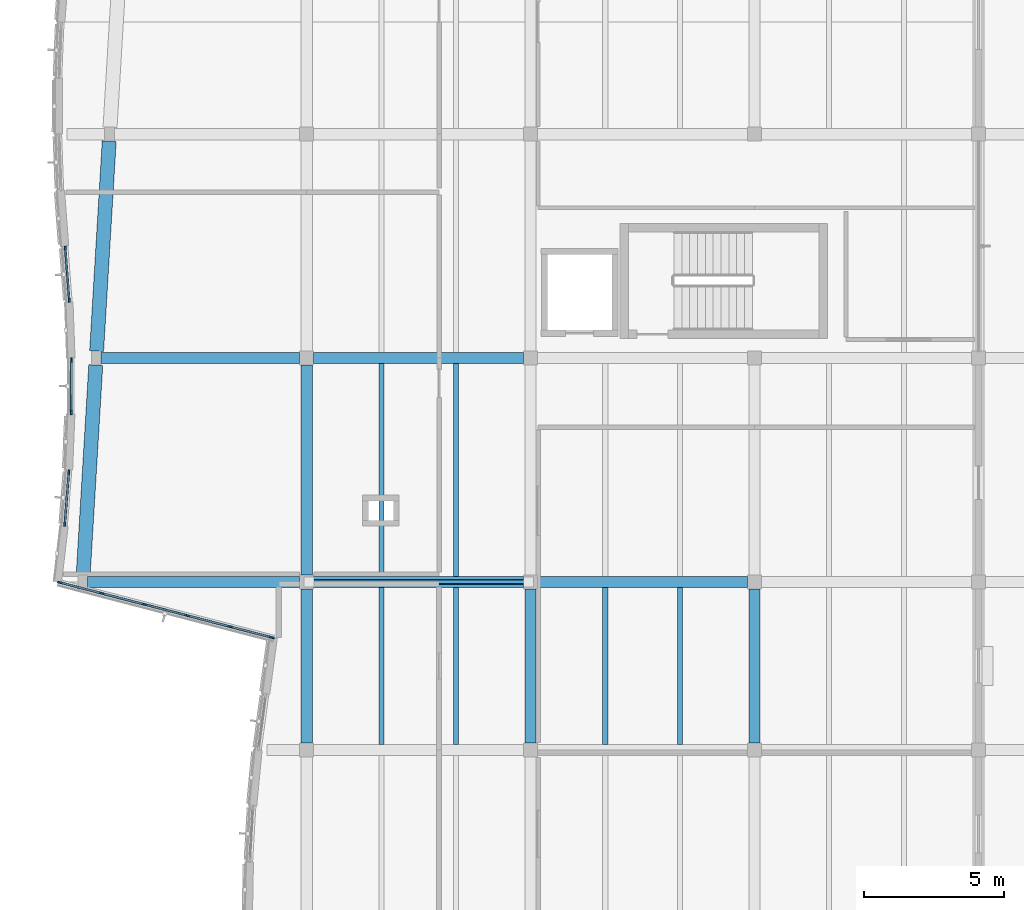
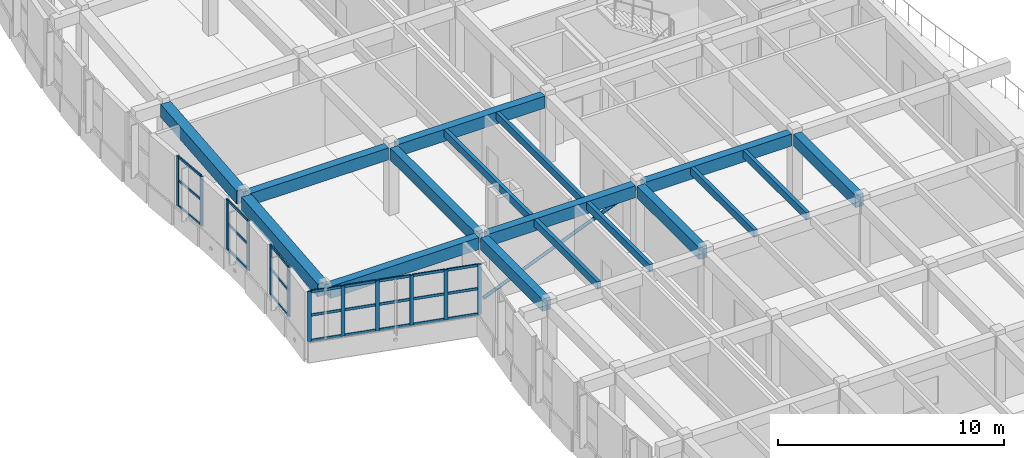
# One storey, part 10 of 89: 37 members, 17 beams, 4 elements without a shape of their own.
"""IFC4 building model written with IfcOpenShell, lengths in metres."""

from ifc_helpers import new_model, si_unit, direction, frame, origin, origin_2d, place, context, subcontext, project, spatial, rectangle, hollow_circle, extrude, material, layer, layer_set, material_profile, profile_set, type_object, element, aggregate, save


model = new_model("IFC4")

# Units and contexts
model_context = context("Model", 3, precision=1e-05, world=origin(), true_north=direction((0.0, 1.0)))
body_context = subcontext(model_context, "Body", "Model", "MODEL_VIEW")
ifc_project = project(units=[si_unit("LENGTHUNIT", "METRE"), si_unit("AREAUNIT", "SQUARE_METRE"), si_unit("VOLUMEUNIT", "CUBIC_METRE"), si_unit("PLANEANGLEUNIT", "RADIAN"), si_unit("MASSUNIT", "GRAM", prefix="KILO")], contexts=[model_context])

# Site, building, storey
site_placement = place(None, origin())
site = spatial("IfcSite", under=ifc_project, at=site_placement, CompositionType="ELEMENT")
building_placement = place(site_placement, origin())
building = spatial("IfcBuilding", under=site, at=building_placement, Name="Tonlespit Floodbar School", CompositionType="ELEMENT")
storey_placement = place(building_placement, frame((0.0, 0.0, 4.5)))
storey = spatial("IfcBuildingStorey", under=building, at=storey_placement, Name="L01", CompositionType="ELEMENT", Elevation=4.5)

# Beams
ifc_material_1 = material(Name="Concrete C40/50", Category="concrete")
ifc_material_profile_1 = material_profile(ifc_material_1, rectangle(XDim=0.39990234375, YDim=0.64990234375, at=origin_2d()), Name="RC 400x650")
ifc_profile_set_1 = profile_set([ifc_material_profile_1], Name="Concrete C40/50")
beam_type_1 = type_object("IfcBeamType", Name="Beam_RC_400x650", PredefinedType="BEAM", material=ifc_profile_set_1)
beam_1_placement = place(storey_placement, frame((4.175048828125, 56.0, 3.324951171875), z_axis=(1.0, 0.0, 0.0), x_axis=(0.0, 1.0, 0.0)))
element("IfcBeam", 1, at=beam_1_placement, inside=storey, type_object=beam_type_1, Name="L01 girder 0571", PredefinedType="BEAM", context=body_context, shape_type="SweptSolid", body=[
    extrude(rectangle(XDim=0.39990234375, YDim=0.64990234375, at=origin_2d()), origin(), (0.0, 0.0, 1.0), 7.574951171875),
])
for number, where, z_axis, x_axis, name in (
    (2, (12.25, 56.0, 3.324951171875), (1.0, 0.0, 0.0), (0.0, 1.0, 0.0), "L01 girder 0572"),
    (3, (20.25, 56.0, 3.324951171875), (1.0, 0.0, 0.0), (0.0, 1.0, 0.0), "L01 girder 0573"),
):
    element("IfcBeam", number, at=place(storey_placement, frame(where, z_axis=z_axis, x_axis=x_axis)), inside=storey, type_object=beam_type_1, Name=name, PredefinedType="BEAM", context=body_context, shape_type="SweptSolid", body=[
        extrude(rectangle(XDim=0.39990234375, YDim=0.64990234375, at=origin_2d()), origin(), (0.0, 0.0, 1.0), 7.5),
    ])
beam_2_placement = place(storey_placement, frame((4.655029296875, 64.0, 3.324951171875), z_axis=(1.0, 0.0, 0.0), x_axis=(0.0, 1.0, 0.0)))
element("IfcBeam", 4, at=beam_2_placement, inside=storey, type_object=beam_type_1, Name="L01 girder 0575", PredefinedType="BEAM", context=body_context, shape_type="SweptSolid", body=[
    extrude(rectangle(XDim=0.39990234375, YDim=0.64990234375, at=origin_2d()), origin(), (0.0, 0.0, 1.0), 7.094970703125),
])
beam_3_placement = place(storey_placement, frame((12.25, 64.0, 3.324951171875), z_axis=(1.0, 0.0, 0.0), x_axis=(0.0, 1.0, 0.0)))
element("IfcBeam", 5, at=beam_3_placement, inside=storey, type_object=beam_type_1, Name="L01 girder 0576", PredefinedType="BEAM", context=body_context, shape_type="SweptSolid", body=[
    extrude(rectangle(XDim=0.39990234375, YDim=0.64990234375, at=origin_2d()), origin(), (0.0, 0.0, 1.0), 7.5),
])
beam_4_placement = place(storey_placement, frame((12.0, 50.25, 3.324951171875), z_axis=(0.0, 1.0, 0.0), x_axis=(-1.0, 0.0, 0.0)))
element("IfcBeam", 6, at=beam_4_placement, inside=storey, type_object=beam_type_1, Name="L01 girder 0681", PredefinedType="BEAM", context=body_context, shape_type="SweptSolid", body=[
    extrude(rectangle(XDim=0.39990234375, YDim=0.64990234375, at=origin_2d()), origin(), (0.0, 0.0, 1.0), 5.5),
])
beam_5_placement = place(storey_placement, frame((12.0, 56.25, 3.324951171875), z_axis=(0.0, 1.0, 0.0), x_axis=(-1.0, 0.0, 0.0)))
element("IfcBeam", 7, at=beam_5_placement, inside=storey, type_object=beam_type_1, Name="L01 girder 0682", PredefinedType="BEAM", context=body_context, shape_type="SweptSolid", body=[
    extrude(rectangle(XDim=0.39990234375, YDim=0.64990234375, at=origin_2d()), origin(), (0.0, 0.0, 1.0), 7.5),
])
for number, where, z_axis, x_axis, name in (
    (8, (20.0, 50.25, 3.324951171875), (0.0, 1.0, 0.0), (-1.0, 0.0, 0.0), "L01 girder 0694"),
    (9, (28.0, 50.25, 3.324951171875), (0.0, 1.0, 0.0), (-1.0, 0.0, 0.0), "L01 girder 0707"),
):
    element("IfcBeam", number, at=place(storey_placement, frame(where, z_axis=z_axis, x_axis=x_axis)), inside=storey, type_object=beam_type_1, Name=name, PredefinedType="BEAM", context=body_context, shape_type="SweptSolid", body=[
        extrude(rectangle(XDim=0.39990234375, YDim=0.64990234375, at=origin_2d()), origin(), (0.0, 0.0, 1.0), 5.5),
    ])

# Member
ifc_material_2 = material(Name="Steel S355", Category="steel")
ifc_material_profile_2 = material_profile(ifc_material_2, hollow_circle(Radius=0.084228515625, WallThickness=0.008056640625, at=origin_2d()), Name="CHS 168.3x8")
ifc_profile_set_2 = profile_set([ifc_material_profile_2], Name="Steel S355")
member_type_1 = type_object("IfcMemberType", Name="Brace_STL_CHS168", PredefinedType="BRACE", material=ifc_profile_set_2)
member_1_placement = place(storey_placement, frame((12.080078125, 56.0, 0.14990234375), z_axis=(0.925836938306, 0.0, 0.377923224568), x_axis=(0.0, 1.0, 0.0)))
element("IfcMember", 10, at=member_1_placement, inside=storey, type_object=member_type_1, Name="L01 exposed deconstructivist lateral brace 1", PredefinedType="BRACE", context=body_context, shape_type="SweptSolid", body=[
    extrude(hollow_circle(Radius=0.084228515625, WallThickness=0.008056640625, at=origin_2d()), origin(), (0.0, 0.0, 1.0), 8.4677734375),
])

# Curtain wall, members
ifc_material_3 = material(Name="Anodised Aluminium", Category="aluminium")
ifc_layer_1 = layer(ifc_material_3, 0.159912109375)
ifc_layer_set_1 = layer_set([ifc_layer_1], Name="Anodised Aluminium")
curtain_wall_type_1 = type_object("IfcCurtainWallType", Name="CurtainWall_1950x2700", PredefinedType="NOTDEFINED", material=ifc_layer_set_1)
curtain_wall_1_placement = place(storey_placement, origin())
curtain_wall_1 = element("IfcCurtainWall", 11, at=curtain_wall_1_placement, inside=storey, type_object=curtain_wall_type_1, Name="L01 unitised curtain wall 0272", PredefinedType="NOTDEFINED")
ifc_material_profile_3 = material_profile(ifc_material_3, rectangle(XDim=0.06494140625, YDim=0.14990234375, at=origin_2d()), Name="ALU M65x150")
ifc_profile_set_3 = profile_set([ifc_material_profile_3], Name="Anodised Aluminium")
member_type_2 = type_object("IfcMemberType", Name="CW_Mullion_65x150", PredefinedType="MULLION", material=ifc_profile_set_3)
member_2_placement = place(storey_placement, frame((3.3564453125, 58.072265625, 0.949951171875), z_axis=(0.0, 0.0, 1.0), x_axis=(-0.996877534245, 0.078963166836, 0.0)))
member_2 = element("IfcMember", 12, at=member_2_placement, type_object=member_type_2, Name="CW-04 mullion 1", PredefinedType="MULLION", context=body_context, shape_type="SweptSolid", body=[
    extrude(rectangle(XDim=0.06494140625, YDim=0.14990234375, at=origin_2d()), origin(), (0.0, 0.0, 1.0), 2.699951171875),
])
member_3_placement = place(storey_placement, frame((3.50341796875, 59.927734375, 0.949951171875), z_axis=(0.0, 0.0, 1.0), x_axis=(-0.996877534245, 0.078963166836, 0.0)))
member_3 = element("IfcMember", 13, at=member_3_placement, type_object=member_type_2, Name="CW-04 mullion 2", PredefinedType="MULLION", context=body_context, shape_type="SweptSolid", body=[
    extrude(rectangle(XDim=0.06494140625, YDim=0.14990234375, at=origin_2d()), origin(), (0.0, 0.0, 1.0), 2.699951171875),
])

curtain_wall_2_placement = place(storey_placement, origin())
curtain_wall_2 = element("IfcCurtainWall", 14, at=curtain_wall_2_placement, inside=storey, type_object=curtain_wall_type_1, Name="L01 unitised curtain wall 0274", PredefinedType="NOTDEFINED")
member_4_placement = place(storey_placement, frame((3.516357421875, 66.072265625, 0.949951171875), z_axis=(0.0, 0.0, 1.0), x_axis=(-0.997129753565, -0.075711654028, 0.0)))
member_4 = element("IfcMember", 15, at=member_4_placement, type_object=member_type_2, Name="CW-04 mullion 1", PredefinedType="MULLION", context=body_context, shape_type="SweptSolid", body=[
    extrude(rectangle(XDim=0.06494140625, YDim=0.14990234375, at=origin_2d()), origin(), (0.0, 0.0, 1.0), 2.699951171875),
])
member_5_placement = place(storey_placement, frame((3.37548828125, 67.927734375, 0.949951171875), z_axis=(0.0, 0.0, 1.0), x_axis=(-0.997129753565, -0.075711654028, 0.0)))
member_5 = element("IfcMember", 16, at=member_5_placement, type_object=member_type_2, Name="CW-04 mullion 2", PredefinedType="MULLION", context=body_context, shape_type="SweptSolid", body=[
    extrude(rectangle(XDim=0.06494140625, YDim=0.14990234375, at=origin_2d()), origin(), (0.0, 0.0, 1.0), 2.699951171875),
])

ifc_layer_2 = layer(ifc_material_3, 0.159912109375)
ifc_layer_set_2 = layer_set([ifc_layer_2], Name="Anodised Aluminium")
curtain_wall_type_2 = type_object("IfcCurtainWallType", Name="CurtainWall_7900x2700", PredefinedType="NOTDEFINED", material=ifc_layer_set_2)
curtain_wall_3_placement = place(storey_placement, origin())
curtain_wall_3 = element("IfcCurtainWall", 17, at=curtain_wall_3_placement, inside=storey, type_object=curtain_wall_type_2, Name="L01 unitised curtain wall 0271", PredefinedType="NOTDEFINED")
ifc_material_profile_4 = material_profile(ifc_material_3, rectangle(XDim=0.06494140625, YDim=0.179931640625, at=origin_2d()), Name="ALU M65x180")
ifc_profile_set_4 = profile_set([ifc_material_profile_4], Name="Anodised Aluminium")
member_type_3 = type_object("IfcMemberType", Name="CW_Mullion_65x180", PredefinedType="MULLION", material=ifc_profile_set_4)
member_6_placement = place(storey_placement, frame((10.751708984375, 54.01806640625, 0.949951171875), z_axis=(0.0, 0.0, 1.0), x_axis=(-0.25120078898, -0.967934999685, 0.0)))
member_6 = element("IfcMember", 18, at=member_6_placement, type_object=member_type_3, Name="CW-35 mullion 1", PredefinedType="MULLION", context=body_context, shape_type="SweptSolid", body=[
    extrude(rectangle(XDim=0.06494140625, YDim=0.179931640625, at=origin_2d()), origin(), (0.0, 0.0, 1.0), 2.699951171875),
])
member_7_placement = place(storey_placement, frame((9.25732421875, 54.406005859375, 0.949951171875), z_axis=(0.0, 0.0, 1.0), x_axis=(-0.25120078898, -0.967934999685, 0.0)))
member_7 = element("IfcMember", 19, at=member_7_placement, type_object=member_type_3, Name="CW-35 mullion 2", PredefinedType="MULLION", context=body_context, shape_type="SweptSolid", body=[
    extrude(rectangle(XDim=0.06494140625, YDim=0.179931640625, at=origin_2d()), origin(), (0.0, 0.0, 1.0), 2.699951171875),
])
member_8_placement = place(storey_placement, frame((7.7314453125, 54.802001953125, 0.949951171875), z_axis=(0.0, 0.0, 1.0), x_axis=(-0.25120078898, -0.967934999685, 0.0)))
member_8 = element("IfcMember", 20, at=member_8_placement, type_object=member_type_3, Name="CW-35 mullion 3", PredefinedType="MULLION", context=body_context, shape_type="SweptSolid", body=[
    extrude(rectangle(XDim=0.06494140625, YDim=0.179931640625, at=origin_2d()), origin(), (0.0, 0.0, 1.0), 2.699951171875),
])
member_9_placement = place(storey_placement, frame((6.20556640625, 55.197998046875, 0.949951171875), z_axis=(0.0, 0.0, 1.0), x_axis=(-0.25120078898, -0.967934999685, 0.0)))
member_9 = element("IfcMember", 21, at=member_9_placement, type_object=member_type_3, Name="CW-35 mullion 4", PredefinedType="MULLION", context=body_context, shape_type="SweptSolid", body=[
    extrude(rectangle(XDim=0.06494140625, YDim=0.179931640625, at=origin_2d()), origin(), (0.0, 0.0, 1.0), 2.699951171875),
])
member_10_placement = place(storey_placement, frame((4.6796875, 55.593994140625, 0.949951171875), z_axis=(0.0, 0.0, 1.0), x_axis=(-0.25120078898, -0.967934999685, 0.0)))
member_10 = element("IfcMember", 22, at=member_10_placement, type_object=member_type_3, Name="CW-35 mullion 5", PredefinedType="MULLION", context=body_context, shape_type="SweptSolid", body=[
    extrude(rectangle(XDim=0.06494140625, YDim=0.179931640625, at=origin_2d()), origin(), (0.0, 0.0, 1.0), 2.699951171875),
])
member_11_placement = place(storey_placement, frame((3.18505859375, 55.98193359375, 0.949951171875), z_axis=(0.0, 0.0, 1.0), x_axis=(-0.25120078898, -0.967934999685, 0.0)))
member_11 = element("IfcMember", 23, at=member_11_placement, type_object=member_type_3, Name="CW-35 mullion 6", PredefinedType="MULLION", context=body_context, shape_type="SweptSolid", body=[
    extrude(rectangle(XDim=0.06494140625, YDim=0.179931640625, at=origin_2d()), origin(), (0.0, 0.0, 1.0), 2.699951171875),
])

ifc_layer_3 = layer(ifc_material_3, 0.159912109375)
ifc_layer_set_3 = layer_set([ifc_layer_3], Name="Anodised Aluminium")
curtain_wall_type_3 = type_object("IfcCurtainWallType", Name="CurtainWall_1900x2700", PredefinedType="NOTDEFINED", material=ifc_layer_set_3)
curtain_wall_4_placement = place(storey_placement, origin())
curtain_wall_4 = element("IfcCurtainWall", 24, at=curtain_wall_4_placement, inside=storey, type_object=curtain_wall_type_3, Name="L01 unitised curtain wall 0273", PredefinedType="NOTDEFINED")
member_12_placement = place(storey_placement, frame((3.5908203125, 62.072509765625, 0.949951171875), z_axis=(0.0, 0.0, 1.0), x_axis=(-0.99999760743, 0.00218749477, 0.0)))
member_12 = element("IfcMember", 25, at=member_12_placement, type_object=member_type_3, Name="CW-05 mullion 1", PredefinedType="MULLION", context=body_context, shape_type="SweptSolid", body=[
    extrude(rectangle(XDim=0.06494140625, YDim=0.179931640625, at=origin_2d()), origin(), (0.0, 0.0, 1.0), 2.699951171875),
])
member_13_placement = place(storey_placement, frame((3.5947265625, 63.927490234375, 0.949951171875), z_axis=(0.0, 0.0, 1.0), x_axis=(-0.99999760743, 0.00218749477, 0.0)))
member_13 = element("IfcMember", 26, at=member_13_placement, type_object=member_type_3, Name="CW-05 mullion 2", PredefinedType="MULLION", context=body_context, shape_type="SweptSolid", body=[
    extrude(rectangle(XDim=0.06494140625, YDim=0.179931640625, at=origin_2d()), origin(), (0.0, 0.0, 1.0), 2.699951171875),
])

# Member
ifc_material_profile_5 = material_profile(ifc_material_3, rectangle(XDim=0.06494140625, YDim=0.1201171875, at=origin_2d()), Name="ALU T65x120")
ifc_profile_set_5 = profile_set([ifc_material_profile_5], Name="Anodised Aluminium")
member_type_4 = type_object("IfcMemberType", Name="CW_Transom_65x120", PredefinedType="USERDEFINED", material=ifc_profile_set_5)
member_14_placement = place(storey_placement, frame((3.35888671875, 58.104736328125, 0.982421875), z_axis=(0.078972649437, 0.996876783079, 0.0), x_axis=(-0.996876783079, 0.078972649437, 0.0)))
member_14 = element("IfcMember", 27, at=member_14_placement, type_object=member_type_4, Name="CW-04 transom 1.1", ObjectType="TRANSOM", PredefinedType="USERDEFINED", context=body_context, shape_type="SweptSolid", body=[
    extrude(rectangle(XDim=0.06494140625, YDim=0.1201171875, at=origin_2d()), origin(), (0.0, 0.0, 1.0), 1.796142578125),
])

member_15_placement = place(storey_placement, frame((3.35888671875, 58.104736328125, 2.35400390625), z_axis=(0.078972649437, 0.996876783079, 0.0), x_axis=(-0.996876783079, 0.078972649437, 0.0)))
member_15 = element("IfcMember", 28, at=member_15_placement, type_object=member_type_4, Name="CW-04 transom 1.2", ObjectType="TRANSOM", PredefinedType="USERDEFINED", context=body_context, shape_type="SweptSolid", body=[
    extrude(rectangle(XDim=0.06494140625, YDim=0.1201171875, at=origin_2d()), origin(), (0.0, 0.0, 1.0), 1.796142578125),
])

member_16_placement = place(storey_placement, frame((3.35888671875, 58.104736328125, 3.617431640625), z_axis=(0.078972649437, 0.996876783079, 0.0), x_axis=(-0.996876783079, 0.078972649437, 0.0)))
member_16 = element("IfcMember", 29, at=member_16_placement, type_object=member_type_4, Name="CW-04 transom 1.3", ObjectType="TRANSOM", PredefinedType="USERDEFINED", context=body_context, shape_type="SweptSolid", body=[
    extrude(rectangle(XDim=0.06494140625, YDim=0.1201171875, at=origin_2d()), origin(), (0.0, 0.0, 1.0), 1.796142578125),
])

aggregate(curtain_wall_1, [member_2, member_3, member_14, member_15, member_16])

member_17_placement = place(storey_placement, frame((3.513916015625, 66.104736328125, 0.982421875), z_axis=(-0.075729549468, 0.99712839461, 0.0), x_axis=(-0.99712839461, -0.075729549468, 0.0)))
member_17 = element("IfcMember", 30, at=member_17_placement, type_object=member_type_4, Name="CW-04 transom 1.1", ObjectType="TRANSOM", PredefinedType="USERDEFINED", context=body_context, shape_type="SweptSolid", body=[
    extrude(rectangle(XDim=0.06494140625, YDim=0.1201171875, at=origin_2d()), origin(), (0.0, 0.0, 1.0), 1.795654296875),
])

member_18_placement = place(storey_placement, frame((3.513916015625, 66.104736328125, 2.35400390625), z_axis=(-0.075729549468, 0.99712839461, 0.0), x_axis=(-0.99712839461, -0.075729549468, 0.0)))
member_18 = element("IfcMember", 31, at=member_18_placement, type_object=member_type_4, Name="CW-04 transom 1.2", ObjectType="TRANSOM", PredefinedType="USERDEFINED", context=body_context, shape_type="SweptSolid", body=[
    extrude(rectangle(XDim=0.06494140625, YDim=0.1201171875, at=origin_2d()), origin(), (0.0, 0.0, 1.0), 1.795654296875),
])

member_19_placement = place(storey_placement, frame((3.513916015625, 66.104736328125, 3.617431640625), z_axis=(-0.075729549468, 0.99712839461, 0.0), x_axis=(-0.99712839461, -0.075729549468, 0.0)))
member_19 = element("IfcMember", 32, at=member_19_placement, type_object=member_type_4, Name="CW-04 transom 1.3", ObjectType="TRANSOM", PredefinedType="USERDEFINED", context=body_context, shape_type="SweptSolid", body=[
    extrude(rectangle(XDim=0.06494140625, YDim=0.1201171875, at=origin_2d()), origin(), (0.0, 0.0, 1.0), 1.795654296875),
])

aggregate(curtain_wall_2, [member_4, member_5, member_17, member_18, member_19])

ifc_material_profile_6 = material_profile(ifc_material_3, rectangle(XDim=0.06494140625, YDim=0.139892578125, at=origin_2d()), Name="ALU T65x140")
ifc_profile_set_6 = profile_set([ifc_material_profile_6], Name="Anodised Aluminium")
member_type_5 = type_object("IfcMemberType", Name="CW_Transom_65x140", PredefinedType="USERDEFINED", material=ifc_profile_set_6)
member_20_placement = place(storey_placement, frame((10.72021484375, 54.0263671875, 0.982421875), z_axis=(-0.9679285458, 0.251225655987, 0.0), x_axis=(-0.251225655987, -0.9679285458, 0.0)))
member_20 = element("IfcMember", 33, at=member_20_placement, type_object=member_type_5, Name="CW-35 transom 1.1", ObjectType="TRANSOM", PredefinedType="USERDEFINED", context=body_context, shape_type="SweptSolid", body=[
    extrude(rectangle(XDim=0.06494140625, YDim=0.139892578125, at=origin_2d()), origin(), (0.0, 0.0, 1.0), 1.47900390625),
])

member_21_placement = place(storey_placement, frame((10.72021484375, 54.0263671875, 2.35400390625), z_axis=(-0.9679285458, 0.251225655987, 0.0), x_axis=(-0.251225655987, -0.9679285458, 0.0)))
member_21 = element("IfcMember", 34, at=member_21_placement, type_object=member_type_5, Name="CW-35 transom 1.2", ObjectType="TRANSOM", PredefinedType="USERDEFINED", context=body_context, shape_type="SweptSolid", body=[
    extrude(rectangle(XDim=0.06494140625, YDim=0.139892578125, at=origin_2d()), origin(), (0.0, 0.0, 1.0), 1.47900390625),
])

member_22_placement = place(storey_placement, frame((10.72021484375, 54.0263671875, 3.617431640625), z_axis=(-0.9679285458, 0.251225655987, 0.0), x_axis=(-0.251225655987, -0.9679285458, 0.0)))
member_22 = element("IfcMember", 35, at=member_22_placement, type_object=member_type_5, Name="CW-35 transom 1.3", ObjectType="TRANSOM", PredefinedType="USERDEFINED", context=body_context, shape_type="SweptSolid", body=[
    extrude(rectangle(XDim=0.06494140625, YDim=0.139892578125, at=origin_2d()), origin(), (0.0, 0.0, 1.0), 1.47900390625),
])

member_23_placement = place(storey_placement, frame((9.225830078125, 54.4140625, 0.982421875), z_axis=(-0.967908196066, 0.251304046901, 0.0), x_axis=(-0.251304046901, -0.967908196066, 0.0)))
member_23 = element("IfcMember", 36, at=member_23_placement, type_object=member_type_5, Name="CW-35 transom 2.1", ObjectType="TRANSOM", PredefinedType="USERDEFINED", context=body_context, shape_type="SweptSolid", body=[
    extrude(rectangle(XDim=0.06494140625, YDim=0.139892578125, at=origin_2d()), origin(), (0.0, 0.0, 1.0), 1.51171875),
])

member_24_placement = place(storey_placement, frame((9.225830078125, 54.4140625, 2.35400390625), z_axis=(-0.967908196066, 0.251304046901, 0.0), x_axis=(-0.251304046901, -0.967908196066, 0.0)))
member_24 = element("IfcMember", 37, at=member_24_placement, type_object=member_type_5, Name="CW-35 transom 2.2", ObjectType="TRANSOM", PredefinedType="USERDEFINED", context=body_context, shape_type="SweptSolid", body=[
    extrude(rectangle(XDim=0.06494140625, YDim=0.139892578125, at=origin_2d()), origin(), (0.0, 0.0, 1.0), 1.51171875),
])

member_25_placement = place(storey_placement, frame((9.225830078125, 54.4140625, 3.617431640625), z_axis=(-0.967908196066, 0.251304046901, 0.0), x_axis=(-0.251304046901, -0.967908196066, 0.0)))
member_25 = element("IfcMember", 38, at=member_25_placement, type_object=member_type_5, Name="CW-35 transom 2.3", ObjectType="TRANSOM", PredefinedType="USERDEFINED", context=body_context, shape_type="SweptSolid", body=[
    extrude(rectangle(XDim=0.06494140625, YDim=0.139892578125, at=origin_2d()), origin(), (0.0, 0.0, 1.0), 1.51171875),
])

member_26_placement = place(storey_placement, frame((7.699951171875, 54.81005859375, 0.982421875), z_axis=(-0.967908196066, 0.251304046901, 0.0), x_axis=(-0.251304046901, -0.967908196066, 0.0)))
member_26 = element("IfcMember", 39, at=member_26_placement, type_object=member_type_5, Name="CW-35 transom 3.1", ObjectType="TRANSOM", PredefinedType="USERDEFINED", context=body_context, shape_type="SweptSolid", body=[
    extrude(rectangle(XDim=0.06494140625, YDim=0.139892578125, at=origin_2d()), origin(), (0.0, 0.0, 1.0), 1.51171875),
])

member_27_placement = place(storey_placement, frame((7.699951171875, 54.81005859375, 2.35400390625), z_axis=(-0.967908196066, 0.251304046901, 0.0), x_axis=(-0.251304046901, -0.967908196066, 0.0)))
member_27 = element("IfcMember", 40, at=member_27_placement, type_object=member_type_5, Name="CW-35 transom 3.2", ObjectType="TRANSOM", PredefinedType="USERDEFINED", context=body_context, shape_type="SweptSolid", body=[
    extrude(rectangle(XDim=0.06494140625, YDim=0.139892578125, at=origin_2d()), origin(), (0.0, 0.0, 1.0), 1.51171875),
])

member_28_placement = place(storey_placement, frame((7.699951171875, 54.81005859375, 3.617431640625), z_axis=(-0.967908196066, 0.251304046901, 0.0), x_axis=(-0.251304046901, -0.967908196066, 0.0)))
member_28 = element("IfcMember", 41, at=member_28_placement, type_object=member_type_5, Name="CW-35 transom 3.3", ObjectType="TRANSOM", PredefinedType="USERDEFINED", context=body_context, shape_type="SweptSolid", body=[
    extrude(rectangle(XDim=0.06494140625, YDim=0.139892578125, at=origin_2d()), origin(), (0.0, 0.0, 1.0), 1.51171875),
])

member_29_placement = place(storey_placement, frame((6.174072265625, 55.2060546875, 0.982421875), z_axis=(-0.967908196066, 0.251304046901, 0.0), x_axis=(-0.251304046901, -0.967908196066, 0.0)))
member_29 = element("IfcMember", 42, at=member_29_placement, type_object=member_type_5, Name="CW-35 transom 4.1", ObjectType="TRANSOM", PredefinedType="USERDEFINED", context=body_context, shape_type="SweptSolid", body=[
    extrude(rectangle(XDim=0.06494140625, YDim=0.139892578125, at=origin_2d()), origin(), (0.0, 0.0, 1.0), 1.51171875),
])

member_30_placement = place(storey_placement, frame((6.174072265625, 55.2060546875, 2.35400390625), z_axis=(-0.967908196066, 0.251304046901, 0.0), x_axis=(-0.251304046901, -0.967908196066, 0.0)))
member_30 = element("IfcMember", 43, at=member_30_placement, type_object=member_type_5, Name="CW-35 transom 4.2", ObjectType="TRANSOM", PredefinedType="USERDEFINED", context=body_context, shape_type="SweptSolid", body=[
    extrude(rectangle(XDim=0.06494140625, YDim=0.139892578125, at=origin_2d()), origin(), (0.0, 0.0, 1.0), 1.51171875),
])

member_31_placement = place(storey_placement, frame((6.174072265625, 55.2060546875, 3.617431640625), z_axis=(-0.967908196066, 0.251304046901, 0.0), x_axis=(-0.251304046901, -0.967908196066, 0.0)))
member_31 = element("IfcMember", 44, at=member_31_placement, type_object=member_type_5, Name="CW-35 transom 4.3", ObjectType="TRANSOM", PredefinedType="USERDEFINED", context=body_context, shape_type="SweptSolid", body=[
    extrude(rectangle(XDim=0.06494140625, YDim=0.139892578125, at=origin_2d()), origin(), (0.0, 0.0, 1.0), 1.51171875),
])

member_32_placement = place(storey_placement, frame((4.648193359375, 55.60205078125, 0.982421875), z_axis=(-0.9679285458, 0.251225655987, 0.0), x_axis=(-0.251225655987, -0.9679285458, 0.0)))
member_32 = element("IfcMember", 45, at=member_32_placement, type_object=member_type_5, Name="CW-35 transom 5.1", ObjectType="TRANSOM", PredefinedType="USERDEFINED", context=body_context, shape_type="SweptSolid", body=[
    extrude(rectangle(XDim=0.06494140625, YDim=0.139892578125, at=origin_2d()), origin(), (0.0, 0.0, 1.0), 1.47900390625),
])

member_33_placement = place(storey_placement, frame((4.648193359375, 55.60205078125, 2.35400390625), z_axis=(-0.9679285458, 0.251225655987, 0.0), x_axis=(-0.251225655987, -0.9679285458, 0.0)))
member_33 = element("IfcMember", 46, at=member_33_placement, type_object=member_type_5, Name="CW-35 transom 5.2", ObjectType="TRANSOM", PredefinedType="USERDEFINED", context=body_context, shape_type="SweptSolid", body=[
    extrude(rectangle(XDim=0.06494140625, YDim=0.139892578125, at=origin_2d()), origin(), (0.0, 0.0, 1.0), 1.47900390625),
])

member_34_placement = place(storey_placement, frame((4.648193359375, 55.60205078125, 3.617431640625), z_axis=(-0.9679285458, 0.251225655987, 0.0), x_axis=(-0.251225655987, -0.9679285458, 0.0)))
member_34 = element("IfcMember", 47, at=member_34_placement, type_object=member_type_5, Name="CW-35 transom 5.3", ObjectType="TRANSOM", PredefinedType="USERDEFINED", context=body_context, shape_type="SweptSolid", body=[
    extrude(rectangle(XDim=0.06494140625, YDim=0.139892578125, at=origin_2d()), origin(), (0.0, 0.0, 1.0), 1.47900390625),
])

aggregate(curtain_wall_3, [member_6, member_7, member_8, member_9, member_10, member_11, member_20, member_21, member_22, member_23, member_24, member_25, member_26, member_27, member_28, member_29, member_30, member_31, member_32, member_33, member_34])

member_35_placement = place(storey_placement, frame((3.5908203125, 62.10498046875, 0.982421875), z_axis=(0.002182209752, 0.999997618977, 0.0), x_axis=(-0.999997618977, 0.002182209752, 0.0)))
member_35 = element("IfcMember", 48, at=member_35_placement, type_object=member_type_5, Name="CW-05 transom 1.1", ObjectType="TRANSOM", PredefinedType="USERDEFINED", context=body_context, shape_type="SweptSolid", body=[
    extrude(rectangle(XDim=0.06494140625, YDim=0.139892578125, at=origin_2d()), origin(), (0.0, 0.0, 1.0), 1.7900390625),
])

member_36_placement = place(storey_placement, frame((3.5908203125, 62.10498046875, 2.35400390625), z_axis=(0.002182209752, 0.999997618977, 0.0), x_axis=(-0.999997618977, 0.002182209752, 0.0)))
member_36 = element("IfcMember", 49, at=member_36_placement, type_object=member_type_5, Name="CW-05 transom 1.2", ObjectType="TRANSOM", PredefinedType="USERDEFINED", context=body_context, shape_type="SweptSolid", body=[
    extrude(rectangle(XDim=0.06494140625, YDim=0.139892578125, at=origin_2d()), origin(), (0.0, 0.0, 1.0), 1.7900390625),
])

member_37_placement = place(storey_placement, frame((3.5908203125, 62.10498046875, 3.617431640625), z_axis=(0.002182209752, 0.999997618977, 0.0), x_axis=(-0.999997618977, 0.002182209752, 0.0)))
member_37 = element("IfcMember", 50, at=member_37_placement, type_object=member_type_5, Name="CW-05 transom 1.3", ObjectType="TRANSOM", PredefinedType="USERDEFINED", context=body_context, shape_type="SweptSolid", body=[
    extrude(rectangle(XDim=0.06494140625, YDim=0.139892578125, at=origin_2d()), origin(), (0.0, 0.0, 1.0), 1.7900390625),
])

aggregate(curtain_wall_4, [member_12, member_13, member_35, member_36, member_37])

# Beams
ifc_material_4 = material(Name="Glulam GL28h", Category="wood")
ifc_material_profile_7 = material_profile(ifc_material_4, rectangle(XDim=0.179931640625, YDim=0.39990234375, at=origin_2d()), Name="GL 180x400")
ifc_profile_set_7 = profile_set([ifc_material_profile_7], Name="Glulam GL28h")
beam_type_2 = type_object("IfcBeamType", Name="Joist_GL_180x400", PredefinedType="JOIST", material=ifc_profile_set_7)
for number, where, z_axis, x_axis, name in (
    (51, (14.666748046875, 50.199951171875, 3.449951171875), (0.0, 1.0, 0.0), (-1.0, 0.0, 0.0), "L01 secondary joist 0830"),
    (52, (17.333251953125, 50.199951171875, 3.449951171875), (0.0, 1.0, 0.0), (-1.0, 0.0, 0.0), "L01 secondary joist 0831"),
    (53, (22.666748046875, 50.199951171875, 3.449951171875), (0.0, 1.0, 0.0), (-1.0, 0.0, 0.0), "L01 secondary joist 0832"),
    (54, (25.333251953125, 50.199951171875, 3.449951171875), (0.0, 1.0, 0.0), (-1.0, 0.0, 0.0), "L01 secondary joist 0833"),
):
    element("IfcBeam", number, at=place(storey_placement, frame(where, z_axis=z_axis, x_axis=x_axis)), inside=storey, type_object=beam_type_2, Name=name, PredefinedType="JOIST", context=body_context, shape_type="SweptSolid", body=[
        extrude(rectangle(XDim=0.179931640625, YDim=0.39990234375, at=origin_2d()), origin(), (0.0, 0.0, 1.0), 5.60009765625),
    ])
for number, where, z_axis, x_axis, name in (
    (55, (14.666748046875, 56.199951171875, 3.449951171875), (0.0, 1.0, 0.0), (-1.0, 0.0, 0.0), "L01 secondary joist 0836"),
    (56, (17.333251953125, 56.199951171875, 3.449951171875), (0.0, 1.0, 0.0), (-1.0, 0.0, 0.0), "L01 secondary joist 0837"),
):
    element("IfcBeam", number, at=place(storey_placement, frame(where, z_axis=z_axis, x_axis=x_axis)), inside=storey, type_object=beam_type_2, Name=name, PredefinedType="JOIST", context=body_context, shape_type="SweptSolid", body=[
        extrude(rectangle(XDim=0.179931640625, YDim=0.39990234375, at=origin_2d()), origin(), (0.0, 0.0, 1.0), 7.60009765625),
    ])
ifc_material_profile_8 = material_profile(ifc_material_1, rectangle(XDim=0.5, YDim=0.699951171875, at=origin_2d()), Name="RC 500x700")
ifc_profile_set_8 = profile_set([ifc_material_profile_8], Name="Concrete C40/50")
beam_type_3 = type_object("IfcBeamType", Name="Spandrel_RC_500x700", PredefinedType="SPANDREL", material=ifc_profile_set_8)
for number, where, z_axis, x_axis, name in (
    (57, (4.014892578125, 56.24951171875, 3.300048828125), (0.059910419508, 0.998203757574, 0.0), (-0.998203757574, 0.059910419508, 0.0), "L01 splayed edge spandrel 0789"),
    (58, (4.4951171875, 64.24951171875, 3.300048828125), (0.059878046645, 0.998205700009, 0.0), (-0.998205700009, 0.059878046645, 0.0), "L01 splayed edge spandrel 0790"),
):
    element("IfcBeam", number, at=place(storey_placement, frame(where, z_axis=z_axis, x_axis=x_axis)), inside=storey, type_object=beam_type_3, Name=name, PredefinedType="SPANDREL", context=body_context, shape_type="SweptSolid", body=[
        extrude(rectangle(XDim=0.5, YDim=0.699951171875, at=origin_2d()), origin(), (0.0, 0.0, 1.0), 7.514404296875),
    ])

save(model, "model.ifc")
